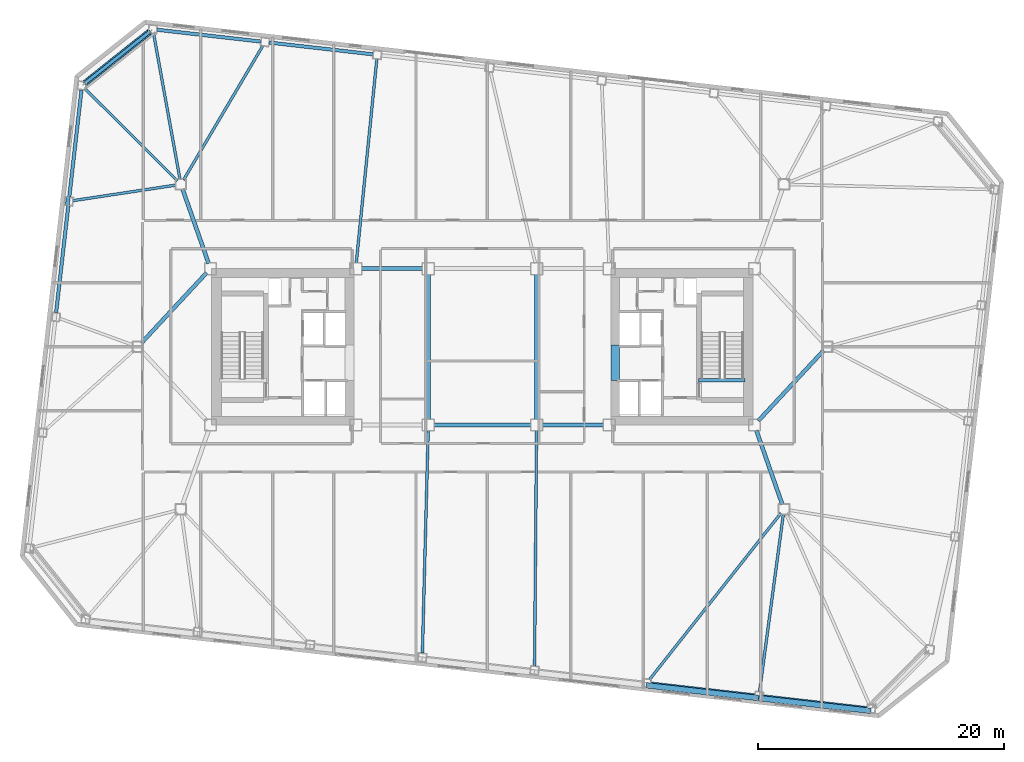
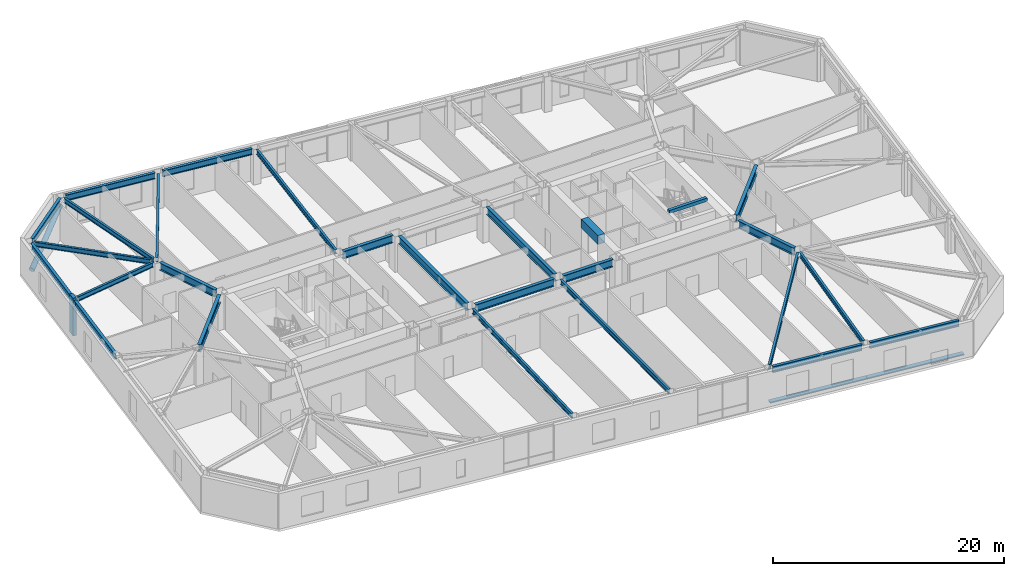
# One storey, part 5 of 21: 27 beams, 4 members.
"""IFC4 building model written with IfcOpenShell, lengths in metres."""

from ifc_helpers import new_model, si_unit, direction, frame, origin, origin_2d, place, context, subcontext, project, spatial, rectangle, hollow_circle, i_section, extrude, material, material_profile, profile_set, type_object, element, save


model = new_model("IFC4")

# Units and contexts
model_context = context("Model", 3, precision=1e-05, world=origin(), true_north=direction((0.0, 1.0)))
body_context = subcontext(model_context, "Body", "Model", "MODEL_VIEW")
ifc_project = project(units=[si_unit("LENGTHUNIT", "METRE"), si_unit("AREAUNIT", "SQUARE_METRE"), si_unit("VOLUMEUNIT", "CUBIC_METRE"), si_unit("PLANEANGLEUNIT", "RADIAN"), si_unit("MASSUNIT", "GRAM", prefix="KILO")], contexts=[model_context])

# Site, building, storey
site_placement = place(None, origin())
site = spatial("IfcSite", under=ifc_project, at=site_placement, CompositionType="ELEMENT")
building_placement = place(site_placement, origin())
building = spatial("IfcBuilding", under=site, at=building_placement, Name="Tavrogorsk Clinical Tower", CompositionType="ELEMENT")
storey_placement = place(building_placement, frame((0.0, 0.0, 137.39990234375)))
storey = spatial("IfcBuildingStorey", under=building, at=storey_placement, Name="L31", CompositionType="ELEMENT", Elevation=137.39990234375)

# Members
ifc_material_1 = material(Name="Anodised aluminium alloy AW-6063", Category="aluminium")
ifc_material_profile_1 = material_profile(ifc_material_1, rectangle(XDim=0.449951171875, YDim=0.1201171875, at=origin_2d()), Name="ALU-SUNSHADE-450x120")
ifc_profile_set_1 = profile_set([ifc_material_profile_1], Name="Anodised aluminium alloy AW-6063")
member_type_1 = type_object("IfcMemberType", Name="ChicagoSunshade_450x120", PredefinedType="USERDEFINED", material=ifc_profile_set_1)
for number, where, z_axis, x_axis, name in (
    (1, (13.326416015625, -27.502197265625, 0.18017578125), (0.993572654864, -0.113196199166, 0.0), (0.113196199166, 0.993572654864, 0.0), "L31 South Aluminium Sunshade S6"),
    (2, (22.444580078125, -28.541015625, 0.18017578125), (0.993572654864, -0.113196199166, 0.0), (0.113196199166, 0.993572654864, 0.0), "L31 South Aluminium Sunshade S7"),
):
    element("IfcMember", number, at=place(storey_placement, frame(where, z_axis=z_axis, x_axis=x_axis)), inside=storey, type_object=member_type_1, Name=name, ObjectType="SUNSHADE", PredefinedType="USERDEFINED", context=body_context, shape_type="SweptSolid", body=[
        extrude(rectangle(XDim=0.449951171875, YDim=0.1201171875, at=origin_2d()), origin(), (0.0, 0.0, 1.0), 9.17724609375),
    ])

# Beam
ifc_material_2 = material(Name="Concrete B80", Category="concrete")
ifc_material_profile_2 = material_profile(ifc_material_2, rectangle(XDim=0.699951171875, YDim=0.949951171875, at=origin_2d()), Name="RC-CB-700x950")
ifc_profile_set_2 = profile_set([ifc_material_profile_2], Name="Concrete B80")
beam_type_1 = type_object("IfcBeamType", Name="CouplingBeam_RC700x950", PredefinedType="LINTEL", material=ifc_profile_set_2)
beam_1_placement = place(storey_placement, frame((10.800048828125, -2.75, 3.26513671875), z_axis=(0.0, 1.0, 0.0), x_axis=(-1.0, 0.0, 0.0)))
element("IfcBeam", 3, at=beam_1_placement, inside=storey, type_object=beam_type_1, Name="L31 Core East Coupling Beam", PredefinedType="LINTEL", context=body_context, shape_type="SweptSolid", body=[
    extrude(rectangle(XDim=0.699951171875, YDim=0.949951171875, at=origin_2d()), origin(), (0.0, 0.0, 1.0), 2.89990234375),
])

# Member
ifc_material_3 = material(Name="Structural steel S440", Category="steel")
ifc_material_profile_3 = material_profile(ifc_material_3, hollow_circle(Radius=0.25390625, WallThickness=0.02001953125, at=origin_2d()), Name="CHS-508x20")
ifc_profile_set_3 = profile_set([ifc_material_profile_3], Name="Structural steel S440")
member_type_2 = type_object("IfcMemberType", Name="ExoBrace_CHS508", PredefinedType="BRACE", material=ifc_profile_set_3)
member_1_placement = place(storey_placement, frame((-32.27587890625, 21.431884765625, 0.425048828125), z_axis=(0.73336936718, 0.583326985798, 0.349140371371), x_axis=(-0.622500682662, 0.782619256143, 0.0)))
element("IfcMember", 4, at=member_1_placement, inside=storey, type_object=member_type_2, Name="L31 Corner Exoskeleton Brace N8-W1", PredefinedType="BRACE", context=body_context, shape_type="SweptSolid", body=[
    extrude(hollow_circle(Radius=0.25390625, WallThickness=0.02001953125, at=origin_2d()), origin(), (0.0, 0.0, 1.0), 7.1318359375),
])

# Beams
ifc_material_4 = material(Name="Structural steel S355", Category="steel")
ifc_material_profile_4 = material_profile(ifc_material_4, i_section(OverallWidth=0.219970703125, OverallDepth=0.5, WebThickness=0.012939453125, FlangeThickness=0.02001953125, at=origin_2d()), Name="B-500x220x13x20")
ifc_profile_set_4 = profile_set([ifc_material_profile_4], Name="Structural steel S355")
beam_type_2 = type_object("IfcBeamType", Name="FloorBeam_B500", PredefinedType="BEAM", material=ifc_profile_set_4)
beam_2_placement = place(storey_placement, frame((-4.411865234375, -6.809814453125, 3.489990234375), z_axis=(-0.025907273598, -0.999664350257, 0.0), x_axis=(0.999664350257, -0.025907273598, 0.0)))
element("IfcBeam", 5, at=beam_2_placement, inside=storey, type_object=beam_type_2, Name="L31 Radial Floor Beam S4", PredefinedType="BEAM", context=body_context, shape_type="SweptSolid", body=[
    extrude(i_section(OverallWidth=0.219970703125, OverallDepth=0.5, WebThickness=0.012939453125, FlangeThickness=0.02001953125, at=origin_2d()), origin(), (0.0, 0.0, 1.0), 18.083984375),
])
beam_3_placement = place(storey_placement, frame((4.39599609375, -6.81005859375, 3.489990234375), z_axis=(-0.00859471964, -0.999963064715, 0.0), x_axis=(0.999963064715, -0.00859471964, 0.0)))
element("IfcBeam", 6, at=beam_3_placement, inside=storey, type_object=beam_type_2, Name="L31 Radial Floor Beam S5", PredefinedType="BEAM", context=body_context, shape_type="SweptSolid", body=[
    extrude(i_section(OverallWidth=0.219970703125, OverallDepth=0.5, WebThickness=0.012939453125, FlangeThickness=0.02001953125, at=origin_2d()), origin(), (0.0, 0.0, 1.0), 19.1171875),
])
beam_4_placement = place(storey_placement, frame((24.245849609375, -13.521728515625, 3.489990234375), z_axis=(-0.619757312108, -0.784793523221, 0.0), x_axis=(0.784793523221, -0.619757312108, 0.0)))
element("IfcBeam", 7, at=beam_4_placement, inside=storey, type_object=beam_type_2, Name="L31 Radial Floor Beam S6", PredefinedType="BEAM", context=body_context, shape_type="SweptSolid", body=[
    extrude(i_section(OverallWidth=0.219970703125, OverallDepth=0.5, WebThickness=0.012939453125, FlangeThickness=0.02001953125, at=origin_2d()), origin(), (0.0, 0.0, 1.0), 17.22802734375),
])
beam_5_placement = place(storey_placement, frame((24.445556640625, -13.6064453125, 3.489990234375), z_axis=(-0.133025440596, -0.991112623345, 0.0), x_axis=(0.991112623345, -0.133025440596, 0.0)))
element("IfcBeam", 8, at=beam_5_placement, inside=storey, type_object=beam_type_2, Name="L31 Radial Floor Beam S7", PredefinedType="BEAM", context=body_context, shape_type="SweptSolid", body=[
    extrude(i_section(OverallWidth=0.219970703125, OverallDepth=0.5, WebThickness=0.012939453125, FlangeThickness=0.02001953125, at=origin_2d()), origin(), (0.0, 0.0, 1.0), 14.530029296875),
])
beam_6_placement = place(storey_placement, frame((-10.25390625, 6.8076171875, 3.489990234375), z_axis=(0.100407035617, 0.994946444387, 0.0), x_axis=(-0.994946444387, 0.100407035617, 0.0)))
element("IfcBeam", 9, at=beam_6_placement, inside=storey, type_object=beam_type_2, Name="L31 Radial Floor Beam N6", PredefinedType="BEAM", context=body_context, shape_type="SweptSolid", body=[
    extrude(i_section(OverallWidth=0.219970703125, OverallDepth=0.5, WebThickness=0.012939453125, FlangeThickness=0.02001953125, at=origin_2d()), origin(), (0.0, 0.0, 1.0), 16.643798828125),
])
beam_7_placement = place(storey_placement, frame((-24.291259765625, 13.552978515625, 3.489990234375), z_axis=(0.508876748392, 0.86083938975, 0.0), x_axis=(-0.86083938975, 0.508876748392, 0.0)))
element("IfcBeam", 10, at=beam_7_placement, inside=storey, type_object=beam_type_2, Name="L31 Radial Floor Beam N7", PredefinedType="BEAM", context=body_context, shape_type="SweptSolid", body=[
    extrude(i_section(OverallWidth=0.219970703125, OverallDepth=0.5, WebThickness=0.012939453125, FlangeThickness=0.02001953125, at=origin_2d()), origin(), (0.0, 0.0, 1.0), 12.663330078125),
])
beam_8_placement = place(storey_placement, frame((-24.572998046875, 13.603515625, 3.489990234375), z_axis=(-0.178287530482, 0.983978432932, 0.0), x_axis=(-0.983978432932, -0.178287530482, 0.0)))
element("IfcBeam", 11, at=beam_8_placement, inside=storey, type_object=beam_type_2, Name="L31 Radial Floor Beam N8", PredefinedType="BEAM", context=body_context, shape_type="SweptSolid", body=[
    extrude(i_section(OverallWidth=0.219970703125, OverallDepth=0.5, WebThickness=0.012939453125, FlangeThickness=0.02001953125, at=origin_2d()), origin(), (0.0, 0.0, 1.0), 12.0380859375),
])
beam_9_placement = place(storey_placement, frame((-24.790283203125, 13.48974609375, 3.489990234375), z_axis=(-0.707775090959, 0.706437839175, 0.0), x_axis=(-0.706437839175, -0.707775090959, 0.0)))
element("IfcBeam", 12, at=beam_9_placement, inside=storey, type_object=beam_type_2, Name="L31 Radial Floor Beam W1", PredefinedType="BEAM", context=body_context, shape_type="SweptSolid", body=[
    extrude(i_section(OverallWidth=0.219970703125, OverallDepth=0.5, WebThickness=0.012939453125, FlangeThickness=0.02001953125, at=origin_2d()), origin(), (0.0, 0.0, 1.0), 10.589111328125),
])
beam_10_placement = place(storey_placement, frame((-24.905517578125, 13.138671875, 3.489990234375), z_axis=(-0.98878314082, -0.149358295482, 0.0), x_axis=(0.149358295482, -0.98878314082, 0.0)))
element("IfcBeam", 13, at=beam_10_placement, inside=storey, type_object=beam_type_2, Name="L31 Radial Floor Beam W2", PredefinedType="BEAM", context=body_context, shape_type="SweptSolid", body=[
    extrude(i_section(OverallWidth=0.219970703125, OverallDepth=0.5, WebThickness=0.012939453125, FlangeThickness=0.02001953125, at=origin_2d()), origin(), (0.0, 0.0, 1.0), 8.4443359375),
])

# Member
ifc_material_5 = material(Name="Precast concrete B45 with limestone cladding", Category="masonry")
ifc_material_profile_5 = material_profile(ifc_material_5, rectangle(XDim=0.320068359375, YDim=0.719970703125, at=origin_2d()), Name="LIMESTONE-FIN-320x720")
ifc_profile_set_5 = profile_set([ifc_material_profile_5], Name="Precast concrete B45 with limestone cladding")
member_type_3 = type_object("IfcMemberType", Name="LimestonePleatFin_320x720", PredefinedType="USERDEFINED", material=ifc_profile_set_5)
member_2_placement = place(storey_placement, frame((-33.688720703125, 11.8330078125, 0.0), z_axis=(0.0, 0.0, 1.0), x_axis=(0.993571855677, -0.113203213768, 0.0)))
element("IfcMember", 14, at=member_2_placement, inside=storey, type_object=member_type_3, Name="L31 W Pleated Stone Fin 1", ObjectType="FIN", PredefinedType="USERDEFINED", context=body_context, shape_type="SweptSolid", body=[
    extrude(rectangle(XDim=0.320068359375, YDim=0.719970703125, at=origin_2d()), origin(), (0.0, 0.0, 1.0), 4.0),
])

# Beams
ifc_material_6 = material(Name="Structural steel S390", Category="steel")
ifc_material_profile_6 = material_profile(ifc_material_6, i_section(OverallWidth=0.320068359375, OverallDepth=0.800048828125, WebThickness=0.02001953125, FlangeThickness=0.033935546875, at=origin_2d()), Name="B-800x320x20x34")
ifc_profile_set_6 = profile_set([ifc_material_profile_6], Name="Structural steel S390")
beam_type_3 = type_object("IfcBeamType", Name="PrimaryGirder_B800", PredefinedType="USERDEFINED", material=ifc_profile_set_6)
beam_11_placement = place(storey_placement, frame((-9.840087890625, 6.35009765625, 3.340087890625), z_axis=(1.0, 0.0, 0.0), x_axis=(0.0, 1.0, 0.0)))
element("IfcBeam", 15, at=beam_11_placement, inside=storey, type_object=beam_type_3, Name="L31 Primary Spine Girder MG-02", ObjectType="GIRDER", PredefinedType="USERDEFINED", context=body_context, shape_type="SweptSolid", body=[
    extrude(i_section(OverallWidth=0.320068359375, OverallDepth=0.800048828125, WebThickness=0.02001953125, FlangeThickness=0.033935546875, at=origin_2d()), origin(), (0.0, 0.0, 1.0), 4.97998046875),
])
beam_12_placement = place(storey_placement, frame((-3.93994140625, -6.35009765625, 3.340087890625), z_axis=(1.0, 0.0, 0.0), x_axis=(0.0, 1.0, 0.0)))
element("IfcBeam", 16, at=beam_12_placement, inside=storey, type_object=beam_type_3, Name="L31 Primary Spine Girder MG-03", ObjectType="GIRDER", PredefinedType="USERDEFINED", context=body_context, shape_type="SweptSolid", body=[
    extrude(i_section(OverallWidth=0.320068359375, OverallDepth=0.800048828125, WebThickness=0.02001953125, FlangeThickness=0.033935546875, at=origin_2d()), origin(), (0.0, 0.0, 1.0), 7.8798828125),
])
beam_13_placement = place(storey_placement, frame((4.860107421875, -6.35009765625, 3.340087890625), z_axis=(1.0, 0.0, 0.0), x_axis=(0.0, 1.0, 0.0)))
element("IfcBeam", 17, at=beam_13_placement, inside=storey, type_object=beam_type_3, Name="L31 Primary Spine Girder MG-05", ObjectType="GIRDER", PredefinedType="USERDEFINED", context=body_context, shape_type="SweptSolid", body=[
    extrude(i_section(OverallWidth=0.320068359375, OverallDepth=0.800048828125, WebThickness=0.02001953125, FlangeThickness=0.033935546875, at=origin_2d()), origin(), (0.0, 0.0, 1.0), 4.97998046875),
])
for number, where, z_axis, x_axis, name in (
    (18, (-4.39990234375, -5.889892578125, 3.340087890625), (0.0, 1.0, 0.0), (-1.0, 0.0, 0.0), "L31 Primary Spine Girder MG-07"),
    (19, (4.39990234375, -5.889892578125, 3.340087890625), (0.0, 1.0, 0.0), (-1.0, 0.0, 0.0), "L31 Primary Spine Girder MG-08"),
):
    element("IfcBeam", number, at=place(storey_placement, frame(where, z_axis=z_axis, x_axis=x_axis)), inside=storey, type_object=beam_type_3, Name=name, ObjectType="GIRDER", PredefinedType="USERDEFINED", context=body_context, shape_type="SweptSolid", body=[
        extrude(i_section(OverallWidth=0.320068359375, OverallDepth=0.800048828125, WebThickness=0.02001953125, FlangeThickness=0.033935546875, at=origin_2d()), origin(), (0.0, 0.0, 1.0), 11.77978515625),
    ])
for number, where, z_axis, x_axis, name in (
    (20, (24.364501953125, -12.81298828125, 3.340087890625), (-0.330660234815, 0.943749865755, 0.0), (-0.943749865755, -0.330660234815, 0.0), "L31 Spine Link Girder OPG-2"),
    (21, (-24.364501953125, 12.81298828125, 3.340087890625), (0.330660234815, -0.943749865755, 0.0), (0.943749865755, 0.330660234815, 0.0), "L31 Spine Link Girder OPG-3"),
):
    element("IfcBeam", number, at=place(storey_placement, frame(where, z_axis=z_axis, x_axis=x_axis)), inside=storey, type_object=beam_type_3, Name=name, ObjectType="GIRDER", PredefinedType="USERDEFINED", context=body_context, shape_type="SweptSolid", body=[
        extrude(i_section(OverallWidth=0.320068359375, OverallDepth=0.800048828125, WebThickness=0.02001953125, FlangeThickness=0.033935546875, at=origin_2d()), origin(), (0.0, 0.0, 1.0), 6.38818359375),
    ])
for number, where, z_axis, x_axis, name in (
    (22, (-27.720947265625, 0.30029296875, 3.340087890625), (0.680675630035, 0.732584934787, 0.0), (-0.732584934787, 0.680675630035, 0.0), "L31 Spine Link Girder OPG-6"),
    (23, (27.720947265625, -0.30029296875, 3.340087890625), (-0.680675630035, -0.732584934787, 0.0), (0.732584934787, -0.680675630035, 0.0), "L31 Spine Link Girder OPG-7"),
):
    element("IfcBeam", number, at=place(storey_placement, frame(where, z_axis=z_axis, x_axis=x_axis)), inside=storey, type_object=beam_type_3, Name=name, ObjectType="GIRDER", PredefinedType="USERDEFINED", context=body_context, shape_type="SweptSolid", body=[
        extrude(i_section(OverallWidth=0.320068359375, OverallDepth=0.800048828125, WebThickness=0.02001953125, FlangeThickness=0.033935546875, at=origin_2d()), origin(), (0.0, 0.0, 1.0), 7.7978515625),
    ])
ifc_material_7 = material(Name="Structural steel S390", Category="steel")
ifc_material_profile_7 = material_profile(ifc_material_7, i_section(OverallWidth=0.280029296875, OverallDepth=0.64990234375, WebThickness=0.01611328125, FlangeThickness=0.02490234375, at=origin_2d()), Name="B-650x280x16x25")
ifc_profile_set_7 = profile_set([ifc_material_profile_7], Name="Structural steel S390")
beam_type_4 = type_object("IfcBeamType", Name="SpandrelBeam_B650", PredefinedType="SPANDREL", material=ifc_profile_set_7)
beam_14_placement = place(storey_placement, frame((13.702392578125, -27.36376953125, 3.4150390625), z_axis=(0.993569819641, -0.113221082395, 0.0), x_axis=(0.113221082395, 0.993569819641, 0.0)))
element("IfcBeam", 24, at=beam_14_placement, inside=storey, type_object=beam_type_4, Name="L31 Perimeter Spandrel S6-S7", PredefinedType="SPANDREL", context=body_context, shape_type="SweptSolid", body=[
    extrude(i_section(OverallWidth=0.280029296875, OverallDepth=0.64990234375, WebThickness=0.01611328125, FlangeThickness=0.02490234375, at=origin_2d()), origin(), (0.0, 0.0, 1.0), 8.46142578125),
])
beam_15_placement = place(storey_placement, frame((22.82080078125, -28.40283203125, 3.4150390625), z_axis=(0.99357232562, -0.113199089054, 0.0), x_axis=(0.113199089054, 0.99357232562, 0.0)))
element("IfcBeam", 25, at=beam_15_placement, inside=storey, type_object=beam_type_4, Name="L31 Perimeter Spandrel S7-S8", PredefinedType="SPANDREL", context=body_context, shape_type="SweptSolid", body=[
    extrude(i_section(OverallWidth=0.280029296875, OverallDepth=0.64990234375, WebThickness=0.01611328125, FlangeThickness=0.02490234375, at=origin_2d()), origin(), (0.0, 0.0, 1.0), 8.4609375),
])
for number, where, z_axis, x_axis, name in (
    (26, (-8.902587890625, 23.763916015625, 3.4150390625), (-0.993572695356, 0.113195843756, 0.0), (-0.113195843756, -0.993572695356, 0.0), "L31 Perimeter Spandrel N6-N7"),
    (27, (-18.020751953125, 24.802734375, 3.4150390625), (-0.993572695356, 0.113195843756, 0.0), (-0.113195843756, -0.993572695356, 0.0), "L31 Perimeter Spandrel N7-N8"),
):
    element("IfcBeam", number, at=place(storey_placement, frame(where, z_axis=z_axis, x_axis=x_axis)), inside=storey, type_object=beam_type_4, Name=name, PredefinedType="SPANDREL", context=body_context, shape_type="SweptSolid", body=[
        extrude(i_section(OverallWidth=0.280029296875, OverallDepth=0.64990234375, WebThickness=0.01611328125, FlangeThickness=0.02490234375, at=origin_2d()), origin(), (0.0, 0.0, 1.0), 8.461181640625),
    ])
beam_16_placement = place(storey_placement, frame((-27.063232421875, 25.578125, 3.4150390625), z_axis=(-0.782613271493, -0.622508206599, 0.0), x_axis=(0.622508206599, -0.782613271493, 0.0)))
element("IfcBeam", 28, at=beam_16_placement, inside=storey, type_object=beam_type_4, Name="L31 Perimeter Spandrel N8-W1", PredefinedType="SPANDREL", context=body_context, shape_type="SweptSolid", body=[
    extrude(i_section(OverallWidth=0.280029296875, OverallDepth=0.64990234375, WebThickness=0.01611328125, FlangeThickness=0.02490234375, at=origin_2d()), origin(), (0.0, 0.0, 1.0), 6.6376953125),
])
for number, where, z_axis, x_axis, name in (
    (29, (-32.578857421875, 20.867431640625, 3.4150390625), (-0.113192226434, -0.993573107464, 0.0), (0.993573107464, -0.113192226434, 0.0), "L31 Perimeter Spandrel W1-W2"),
    (30, (-33.649658203125, 11.46826171875, 3.4150390625), (-0.113219789686, -0.993569966949, 0.0), (0.993569966949, -0.113219789686, 0.0), "L31 Perimeter Spandrel W2-W3"),
):
    element("IfcBeam", number, at=place(storey_placement, frame(where, z_axis=z_axis, x_axis=x_axis)), inside=storey, type_object=beam_type_4, Name=name, PredefinedType="SPANDREL", context=body_context, shape_type="SweptSolid", body=[
        extrude(i_section(OverallWidth=0.280029296875, OverallDepth=0.64990234375, WebThickness=0.01611328125, FlangeThickness=0.02490234375, at=origin_2d()), origin(), (0.0, 0.0, 1.0), 8.743896484375),
    ])
ifc_material_8 = material(Name="Concrete B60", Category="concrete")
ifc_material_profile_8 = material_profile(ifc_material_8, rectangle(XDim=0.300048828125, YDim=0.35009765625, at=origin_2d()), Name="RC-SHB-300x350")
ifc_profile_set_8 = profile_set([ifc_material_profile_8], Name="Concrete B60")
beam_type_5 = type_object("IfcBeamType", Name="StairHeaderBeam_RC300x350", PredefinedType="BEAM", material=ifc_profile_set_8)
beam_17_placement = place(storey_placement, frame((17.550048828125, -2.719970703125, 3.8251953125), z_axis=(1.0, 0.0, 0.0), x_axis=(0.0, 1.0, 0.0)))
element("IfcBeam", 31, at=beam_17_placement, inside=storey, type_object=beam_type_5, Name="L32 ST-E Landing Header Beam", PredefinedType="BEAM", context=body_context, shape_type="SweptSolid", body=[
    extrude(rectangle(XDim=0.300048828125, YDim=0.35009765625, at=origin_2d()), origin(), (0.0, 0.0, 1.0), 3.800048828125),
])

save(model, "model.ifc")
